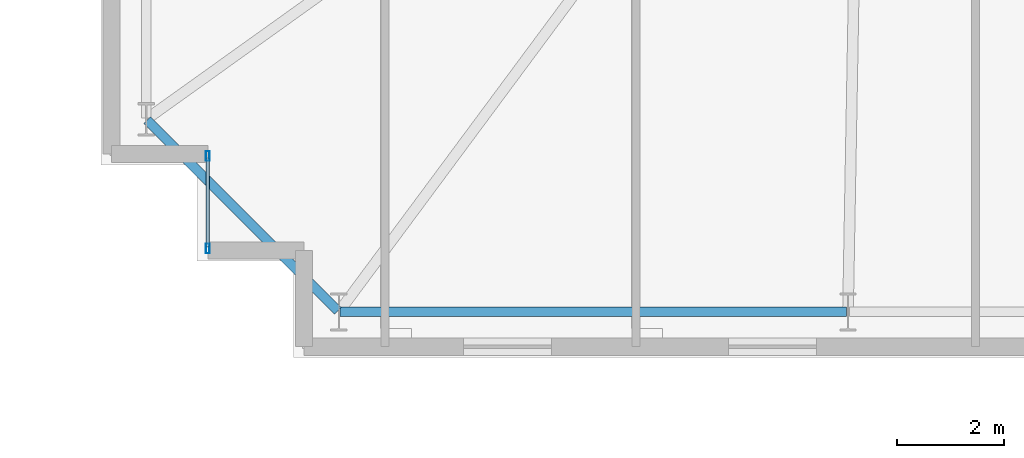
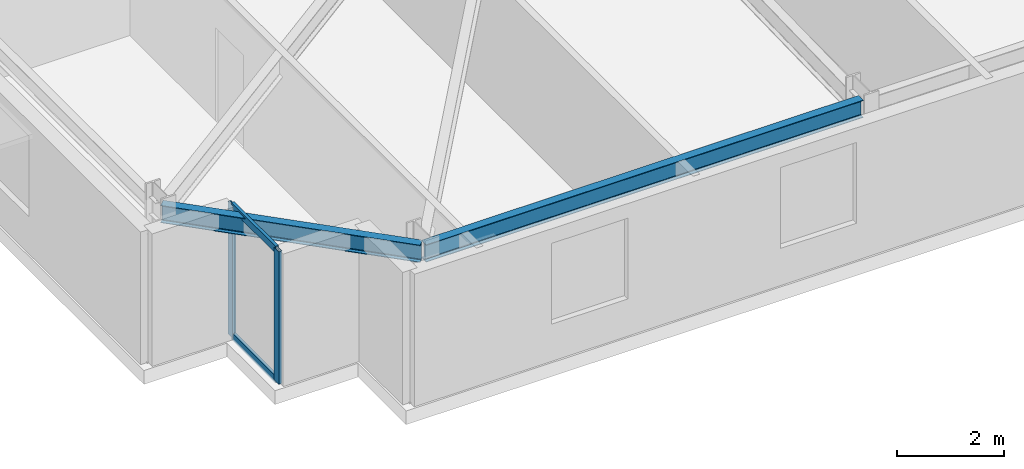
# One storey, part 4 of 20: 4 members, 2 beams, 1 element without a shape of its own.
"""IFC4 building model written with IfcOpenShell, lengths in metres."""

from ifc_helpers import new_model, si_unit, direction, frame, origin, origin_2d, place, context, subcontext, project, spatial, hollow_rectangle, i_section, extrude, material, layer, layer_set, material_profile, profile_set, type_object, element, aggregate, save


model = new_model("IFC4")

# Units and contexts
model_context = context("Model", 3, precision=1e-05, world=origin(), true_north=direction((0.0, 1.0)))
body_context = subcontext(model_context, "Body", "Model", "MODEL_VIEW")
ifc_project = project(units=[si_unit("LENGTHUNIT", "METRE"), si_unit("AREAUNIT", "SQUARE_METRE"), si_unit("VOLUMEUNIT", "CUBIC_METRE"), si_unit("PLANEANGLEUNIT", "RADIAN"), si_unit("MASSUNIT", "GRAM", prefix="KILO")], contexts=[model_context])

# Site, building, storey
site_placement = place(None, origin())
site = spatial("IfcSite", under=ifc_project, at=site_placement, CompositionType="ELEMENT")
building_placement = place(site_placement, origin())
building = spatial("IfcBuilding", under=site, at=building_placement, Name="Qobustan Lattice House", CompositionType="ELEMENT")
storey_placement = place(building_placement, frame((0.0, 0.0, 67.199951171875)))
storey = spatial("IfcBuildingStorey", under=building, at=storey_placement, Name="L18", CompositionType="ELEMENT", Elevation=67.199951171875)

# Beams
ifc_material_1 = material(Name="Steel S355", Category="steel")
ifc_material_profile_1 = material_profile(ifc_material_1, i_section(OverallWidth=0.179931640625, OverallDepth=0.39990234375, WebThickness=0.008544921875, FlangeThickness=0.013427734375, FilletRadius=0.02099609375, at=origin_2d()), Name="IPE400")
ifc_profile_set_1 = profile_set([ifc_material_profile_1], Name="Steel S355")
beam_type = type_object("IfcBeamType", Name="BM-SPD-IPE400", PredefinedType="SPANDREL", material=ifc_profile_set_1)
beam_1_placement = place(storey_placement, frame((-28.52490234375, -18.75, 2.8349609375), z_axis=(1.0, 0.0, 0.0), x_axis=(0.0, 1.0, 0.0)))
element("IfcBeam", 1, at=beam_1_placement, inside=storey, type_object=beam_type, Name="L18 perimeter spandrel S1-S2", PredefinedType="SPANDREL", context=body_context, shape_type="SweptSolid", body=[
    extrude(i_section(OverallWidth=0.179931640625, OverallDepth=0.39990234375, WebThickness=0.008544921875, FlangeThickness=0.013427734375, FilletRadius=0.02099609375, at=origin_2d()), origin(), (0.0, 0.0, 1.0), 9.466552734375),
])
beam_2_placement = place(storey_placement, frame((-32.13232421875, -15.167724609375, 2.8349609375), z_axis=(0.707106781187, -0.707106781187, 0.0), x_axis=(0.707106781187, 0.707106781187, 0.0)))
element("IfcBeam", 2, at=beam_2_placement, inside=storey, type_object=beam_type, Name="L18 perimeter spandrel W4-S1", PredefinedType="SPANDREL", context=body_context, shape_type="SweptSolid", body=[
    extrude(i_section(OverallWidth=0.179931640625, OverallDepth=0.39990234375, WebThickness=0.008544921875, FlangeThickness=0.013427734375, FilletRadius=0.02099609375, at=origin_2d()), origin(), (0.0, 0.0, 1.0), 5.041259765625),
])

# Curtain wall, members
ifc_material_2 = material(Name="Anodised aluminium and low-E glazing", Category="aluminium")
ifc_layer = layer(ifc_material_2, 0.219970703125)
ifc_layer_set = layer_set([ifc_layer], Name="Anodised aluminium and low-E glazing")
curtain_wall_type = type_object("IfcCurtainWallType", Name="CW-FAC-01", PredefinedType="USERDEFINED", material=ifc_layer_set)
curtain_wall_placement = place(storey_placement, origin())
curtain_wall = element("IfcCurtainWall", 3, at=curtain_wall_placement, inside=storey, type_object=curtain_wall_type, Name="L18 serrated corner faceted glazing 3", ObjectType="CURTAIN WALL", PredefinedType="USERDEFINED")
ifc_material_3 = material(Name="Anodised aluminium EN AW-6063 T6", Category="aluminium")
ifc_material_profile_2 = material_profile(ifc_material_3, hollow_rectangle(XDim=0.070068359375, YDim=0.179931640625, WallThickness=0.00439453125, at=origin_2d()), Name="CWM-180x70")
ifc_profile_set_2 = profile_set([ifc_material_profile_2], Name="Anodised aluminium EN AW-6063 T6")
member_type_1 = type_object("IfcMemberType", Name="CWM-STD-180", PredefinedType="MULLION", material=ifc_profile_set_2)
member_1_placement = place(storey_placement, frame((-31.0, -17.56494140625, 0.0), z_axis=(0.0, 0.0, 1.0), x_axis=(-1.0, 0.0, 0.0)))
member_1 = element("IfcMember", 4, at=member_1_placement, type_object=member_type_1, Name="CW-F1 mullion 1", PredefinedType="MULLION", context=body_context, shape_type="SweptSolid", body=[
    extrude(hollow_rectangle(XDim=0.070068359375, YDim=0.179931640625, WallThickness=0.00439453125, at=origin_2d()), origin(), (0.0, 0.0, 1.0), 3.03515625),
])
member_2_placement = place(storey_placement, frame((-31.0, -15.8349609375, 0.0), z_axis=(0.0, 0.0, 1.0), x_axis=(-1.0, 0.0, 0.0)))
member_2 = element("IfcMember", 5, at=member_2_placement, type_object=member_type_1, Name="CW-F1 mullion 2", PredefinedType="MULLION", context=body_context, shape_type="SweptSolid", body=[
    extrude(hollow_rectangle(XDim=0.070068359375, YDim=0.179931640625, WallThickness=0.00439453125, at=origin_2d()), origin(), (0.0, 0.0, 1.0), 3.03515625),
])
ifc_material_4 = material(Name="Anodised aluminium EN AW-6063 T6", Category="aluminium")
ifc_material_profile_3 = material_profile(ifc_material_4, hollow_rectangle(XDim=0.06494140625, YDim=0.159912109375, WallThickness=0.00390625, at=origin_2d()), Name="CWT-160x65")
ifc_profile_set_3 = profile_set([ifc_material_profile_3], Name="Anodised aluminium EN AW-6063 T6")
member_type_2 = type_object("IfcMemberType", Name="CWT-HOR-160", PredefinedType="USERDEFINED", material=ifc_profile_set_3)
member_3_placement = place(storey_placement, frame((-31.0, -17.530029296875, 0.032470703125), z_axis=(0.0, 1.0, 0.0), x_axis=(-1.0, 0.0, 0.0)))
member_3 = element("IfcMember", 6, at=member_3_placement, type_object=member_type_2, Name="CW-F1 transom 1.1", ObjectType="TRANSOM", PredefinedType="USERDEFINED", context=body_context, shape_type="SweptSolid", body=[
    extrude(hollow_rectangle(XDim=0.06494140625, YDim=0.159912109375, WallThickness=0.00390625, at=origin_2d()), origin(), (0.0, 0.0, 1.0), 1.659912109375),
])
member_4_placement = place(storey_placement, frame((-31.0, -17.530029296875, 3.00244140625), z_axis=(0.0, 1.0, 0.0), x_axis=(-1.0, 0.0, 0.0)))
member_4 = element("IfcMember", 7, at=member_4_placement, type_object=member_type_2, Name="CW-F1 transom 1.2", ObjectType="TRANSOM", PredefinedType="USERDEFINED", context=body_context, shape_type="SweptSolid", body=[
    extrude(hollow_rectangle(XDim=0.06494140625, YDim=0.159912109375, WallThickness=0.00390625, at=origin_2d()), origin(), (0.0, 0.0, 1.0), 1.659912109375),
])
aggregate(curtain_wall, [member_1, member_2, member_3, member_4])

save(model, "model.ifc")
